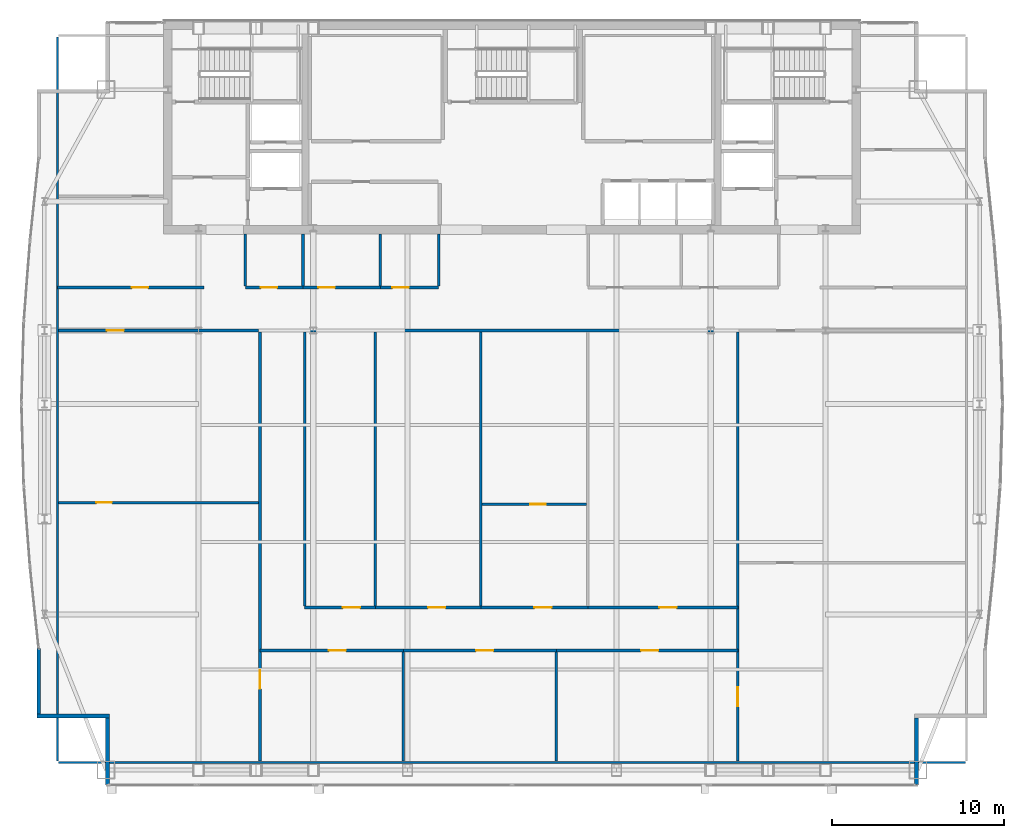
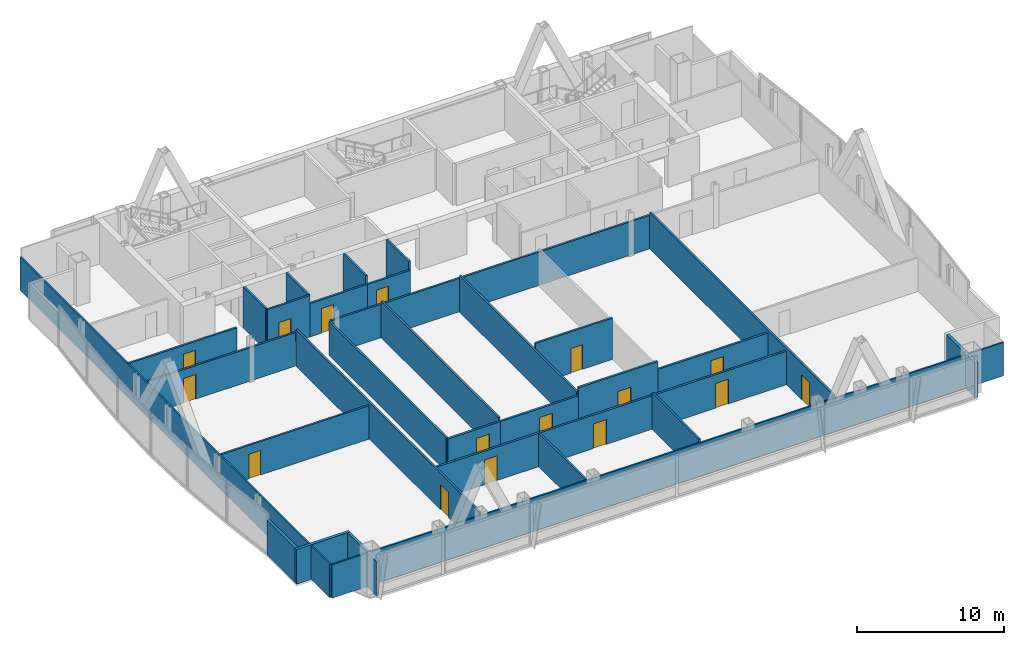
# One storey, part 25 of 30: 32 walls, 16 doors, 16 openings.
"""IFC4 building model written with IfcOpenShell, lengths in metres."""

from ifc_helpers import new_model, si_unit, direction, frame, frame_2d, origin, place, context, subcontext, project, spatial, rectangle, extrude, material, layer, layer_set, type_object, element, fill, save


model = new_model("IFC4")

# Units and contexts
model_context = context("Model", 3, precision=1e-05, world=origin(), true_north=direction((0.0, 1.0)))
body_context = subcontext(model_context, "Body", "Model", "MODEL_VIEW")
ifc_project = project(units=[si_unit("LENGTHUNIT", "METRE"), si_unit("AREAUNIT", "SQUARE_METRE"), si_unit("VOLUMEUNIT", "CUBIC_METRE"), si_unit("PLANEANGLEUNIT", "RADIAN"), si_unit("MASSUNIT", "GRAM", prefix="KILO")], contexts=[model_context])

# Site, building, storey
site_placement = place(None, origin())
site = spatial("IfcSite", under=ifc_project, at=site_placement, CompositionType="ELEMENT")
building_placement = place(site_placement, origin())
building = spatial("IfcBuilding", under=site, at=building_placement, Name="Khoronbel Lancet Exchange", CompositionType="ELEMENT")
storey_placement = place(building_placement, frame((0.0, 0.0, 284.199951171875)))
storey = spatial("IfcBuildingStorey", under=building, at=storey_placement, Name="L73", CompositionType="ELEMENT", Elevation=284.199951171875)

# Walls
ifc_material_1 = material(Name="Precast concrete C40/50", Category="concrete")
ifc_layer_1 = layer(ifc_material_1, 0.25, Name="Precast concrete C40/50")
ifc_layer_set_1 = layer_set([ifc_layer_1], Name="Precast concrete C40/50")
wall_type_1 = type_object("IfcWallType", Name="WL-EXT250", PredefinedType="SOLIDWALL", material=ifc_layer_set_1)
wall_1_placement = place(storey_placement, frame((12.93994140625, 9.27001953125, 0.0), z_axis=(0.0, 0.0, 1.0), x_axis=(0.0, 1.0, 0.0)))
element("IfcWall", 1, at=wall_1_placement, inside=storey, type_object=wall_type_1, Name="Level L73 notched-corner limestone pier 01", PredefinedType="SOLIDWALL", context=body_context, shape_type="SweptSolid", body=[
    extrude(rectangle(XDim=3.909912109375, YDim=0.219970703125, at=frame_2d((1.955078125, 0.0))), origin(), (0.0, 0.0, 1.0), 2.880126953125),
])
wall_2_placement = place(storey_placement, frame((13.050048828125, 13.2900390625, 0.0), z_axis=(0.0, 0.0, 1.0), x_axis=(-1.0, 0.0, 0.0)))
element("IfcWall", 2, at=wall_2_placement, inside=storey, type_object=wall_type_1, Name="Level L73 notched-corner limestone pier 02", PredefinedType="SOLIDWALL", context=body_context, shape_type="SweptSolid", body=[
    extrude(rectangle(XDim=4.219970703125, YDim=0.219970703125, at=frame_2d((2.10986328125, 0.0))), origin(), (0.0, 0.0, 1.0), 2.880126953125),
])
wall_3_placement = place(storey_placement, frame((8.93994140625, 13.39990234375, 0.0), z_axis=(0.0, 0.0, 1.0), x_axis=(0.0, 1.0, 0.0)))
element("IfcWall", 3, at=wall_3_placement, inside=storey, type_object=wall_type_1, Name="Level L73 notched-corner limestone pier 03", PredefinedType="SOLIDWALL", context=body_context, shape_type="SweptSolid", body=[
    extrude(rectangle(XDim=3.82470703125, YDim=0.219970703125, at=frame_2d((1.912353515625, 0.0))), origin(), (0.0, 0.0, 1.0), 2.880126953125),
])
wall_4_placement = place(storey_placement, frame((59.9599609375, 13.179931640625, 0.0), z_axis=(0.0, 0.0, 1.0), x_axis=(0.0, -1.0, 0.0)))
element("IfcWall", 4, at=wall_4_placement, inside=storey, type_object=wall_type_1, Name="Level L73 notched-corner limestone pier 25", PredefinedType="SOLIDWALL", context=body_context, shape_type="SweptSolid", body=[
    extrude(rectangle(XDim=3.909912109375, YDim=0.219970703125, at=frame_2d((1.955078125, 0.0))), origin(), (0.0, 0.0, 1.0), 2.880126953125),
])
ifc_material_2 = material(Name="Acoustic Metal-Stud & Mineral-Wool Gypsum Partition 120 mm", Category="gypsum")
ifc_layer_2 = layer(ifc_material_2, 0.1201171875, Name="Acoustic Metal-Stud & Mineral-Wool Gypsum Partition 120 mm")
ifc_layer_set_2 = layer_set([ifc_layer_2], Name="Acoustic Metal-Stud & Mineral-Wool Gypsum Partition 120 mm")
wall_type_2 = type_object("IfcWallType", Name="WL-PRT120", PredefinedType="PARTITIONING", material=ifc_layer_set_2)
for number, where, z_axis, x_axis, name in (
    (5, (20.949951171875, 38.280029296875, 0.0), (0.0, 0.0, 1.0), (0.0, 1.0, 0.0), "Level L73 interior partition PW-WC-0"),
    (6, (24.300048828125, 38.280029296875, 0.0), (0.0, 0.0, 1.0), (0.0, 1.0, 0.0), "Level L73 interior partition PW-WC-1"),
    (7, (28.800048828125, 38.280029296875, 0.0), (0.0, 0.0, 1.0), (0.0, 1.0, 0.0), "Level L73 interior partition PW-WC-2"),
    (8, (32.179931640625, 38.280029296875, 0.0), (0.0, 0.0, 1.0), (0.0, 1.0, 0.0), "Level L73 interior partition PW-WC-3"),
):
    element("IfcWall", number, at=place(storey_placement, frame(where, z_axis=z_axis, x_axis=x_axis)), inside=storey, type_object=wall_type_2, Name=name, PredefinedType="PARTITIONING", context=body_context, shape_type="SweptSolid", body=[
        extrude(rectangle(XDim=3.02001953125, YDim=0.14990234375, at=frame_2d((1.510009765625, 0.0))), origin(), (0.0, 0.0, 1.0), 3.43994140625),
    ])

# Wall, opening, door
wall_5_placement = place(storey_placement, frame((10.094970703125, 25.699951171875, 0.0), z_axis=(0.0, 0.0, 1.0), x_axis=(1.0, 0.0, 0.0)))
wall_5 = element("IfcWall", 9, at=wall_5_placement, inside=storey, type_object=wall_type_2, Name="Level L73 interior partition PW-Z4-WH", PredefinedType="PARTITIONING", context=body_context, shape_type="SweptSolid", body=[
    extrude(rectangle(XDim=11.625, YDim=0.14990234375, at=frame_2d((5.8125, 0.0))), origin(), (0.0, 0.0, 1.0), 2.780029296875),
])
opening_1_placement = place(wall_5_placement, frame((2.199951171875, 0.0, 0.0)))
opening_1 = element("IfcOpeningElement", 10, at=opening_1_placement, cuts=wall_5, Name="Opening D5", PredefinedType="OPENING", context=body_context, shape_type="SweptSolid", body=[
    extrude(rectangle(XDim=0.89990234375, YDim=2.050048828125, at=frame_2d((0.449951171875, 1.02490234375))), frame((0.0, 0.0849609375, 0.0), z_axis=(0.0, -1.0, 0.0), x_axis=(1.0, 0.0, 0.0)), (0.0, 0.0, 1.0), 0.169921875),
])
ifc_material_3 = material(Name="Acoustic Timber Pantry & Support Door", Category="wood")
door_type_1 = type_object("IfcDoorType", Name="DR-D5", OperationType="NOTDEFINED", PredefinedType="DOOR", material=ifc_material_3)
door_1_placement = place(opening_1_placement, origin())
door_1 = element("IfcDoor", 11, at=door_1_placement, inside=storey, type_object=door_type_1, Name="West lens inner door L73-1", OperationType="SINGLE_SWING_RIGHT", OverallHeight=2.050048828125, OverallWidth=0.89990234375, PredefinedType="DOOR", context=body_context, shape_type="SweptSolid", body=[
    extrude(rectangle(XDim=0.89990234375, YDim=2.050048828125, at=frame_2d((0.449951171875, 1.02490234375))), frame((0.0, 0.02490234375, 0.0), z_axis=(0.0, -1.0, 0.0), x_axis=(1.0, 0.0, 0.0)), (0.0, 0.0, 1.0), 0.050048828125),
])
fill(opening_1, door_1)

wall_6_placement = place(storey_placement, frame((34.71826171875, 25.607421875, 0.0), z_axis=(0.0, 0.0, 1.0), x_axis=(1.0, 0.0, 0.0)))
wall_6 = element("IfcWall", 12, at=wall_6_placement, inside=storey, type_object=wall_type_2, Name="Level L73 interior partition PW-Z4C-H3", PredefinedType="PARTITIONING", context=body_context, shape_type="SweptSolid", body=[
    extrude(rectangle(XDim=6.056640625, YDim=0.14990234375, at=frame_2d((3.0283203125, 0.0))), origin(), (0.0, 0.0, 1.0), 3.43994140625),
])
opening_2_placement = place(wall_6_placement, frame((2.797607421875, 0.0, 0.0)))
opening_2 = element("IfcOpeningElement", 13, at=opening_2_placement, cuts=wall_6, Name="Opening D5", PredefinedType="OPENING", context=body_context, shape_type="SweptSolid", body=[
    extrude(rectangle(XDim=0.89990234375, YDim=2.050048828125, at=frame_2d((0.449951171875, 1.02490234375))), frame((0.0, 0.0849609375, 0.0), z_axis=(0.0, -1.0, 0.0), x_axis=(1.0, 0.0, 0.0)), (0.0, 0.0, 1.0), 0.169921875),
])
door_2_placement = place(opening_2_placement, origin())
door_2 = element("IfcDoor", 14, at=door_2_placement, inside=storey, type_object=door_type_1, Name="Z4C inner door 3 L73-1", OperationType="SINGLE_SWING_LEFT", OverallHeight=2.050048828125, OverallWidth=0.89990234375, PredefinedType="DOOR", context=body_context, shape_type="SweptSolid", body=[
    extrude(rectangle(XDim=0.89990234375, YDim=2.050048828125, at=frame_2d((0.449951171875, 1.02490234375))), frame((0.0, 0.02490234375, 0.0), z_axis=(0.0, -1.0, 0.0), x_axis=(1.0, 0.0, 0.0)), (0.0, 0.0, 1.0), 0.050048828125),
])
fill(opening_2, door_2)

# Walls
wall_7_placement = place(storey_placement, frame((10.030029296875, 10.6650390625, 0.0), z_axis=(0.0, 0.0, 1.0), x_axis=(0.0, 1.0, 0.0)))
element("IfcWall", 15, at=wall_7_placement, inside=storey, type_object=wall_type_2, Name="Level L73 interior partition PW-LIN-W", PredefinedType="PARTITIONING", context=body_context, shape_type="SweptSolid", body=[
    extrude(rectangle(XDim=42.10986328125, YDim=0.1201171875, at=frame_2d((21.054931640625, 0.0))), origin(), (0.0, 0.0, 1.0), 2.780029296875),
])
wall_8_placement = place(storey_placement, frame((10.094970703125, 10.60009765625, 0.0), z_axis=(0.0, 0.0, 1.0), x_axis=(1.0, 0.0, 0.0)))
element("IfcWall", 16, at=wall_8_placement, inside=storey, type_object=wall_type_2, Name="Level L73 interior partition PW-LIN-S", PredefinedType="PARTITIONING", context=body_context, shape_type="SweptSolid", body=[
    extrude(rectangle(XDim=52.7099609375, YDim=0.1201171875, at=frame_2d((26.35498046875, 0.0))), origin(), (0.0, 0.0, 1.0), 2.780029296875),
])

# Wall, opening, door
ifc_material_4 = material(Name="Fire-Rated Twin-Stud Acoustic Gypsum Partition 150 mm", Category="gypsum")
ifc_layer_3 = layer(ifc_material_4, 0.14990234375, Name="Fire-Rated Twin-Stud Acoustic Gypsum Partition 150 mm")
ifc_layer_set_3 = layer_set([ifc_layer_3], Name="Fire-Rated Twin-Stud Acoustic Gypsum Partition 150 mm")
wall_type_3 = type_object("IfcWallType", Name="WL-PRT150C", PredefinedType="PARTITIONING", material=ifc_layer_set_3)
wall_9_placement = place(storey_placement, frame((20.949951171875, 38.199951171875, 0.0), z_axis=(0.0, 0.0, 1.0), x_axis=(1.0, 0.0, 0.0)))
wall_9 = element("IfcWall", 17, at=wall_9_placement, inside=storey, type_object=wall_type_3, Name="Level L73 interior partition PW-WC-S1", PredefinedType="PARTITIONING", context=body_context, shape_type="SweptSolid", body=[
    extrude(rectangle(XDim=3.35009765625, YDim=0.14990234375, at=frame_2d((1.675048828125, 0.0))), origin(), (0.0, 0.0, 1.0), 3.43994140625),
])
opening_3_placement = place(wall_9_placement, frame((0.89990234375, 0.0, 0.0)))
opening_3 = element("IfcOpeningElement", 18, at=opening_3_placement, cuts=wall_9, Name="Opening D4", PredefinedType="OPENING", context=body_context, shape_type="SweptSolid", body=[
    extrude(rectangle(XDim=0.949951171875, YDim=2.050048828125, at=frame_2d((0.47509765625, 1.02490234375))), frame((0.0, 0.0849609375, 0.0), z_axis=(0.0, -1.0, 0.0), x_axis=(1.0, 0.0, 0.0)), (0.0, 0.0, 1.0), 0.169921875),
])
ifc_material_5 = material(Name="Moisture-Resistant HPL Washroom Door", Category="wood")
door_type_2 = type_object("IfcDoorType", Name="DR-D4", OperationType="NOTDEFINED", PredefinedType="DOOR", material=ifc_material_5)
door_3_placement = place(opening_3_placement, origin())
door_3 = element("IfcDoor", 19, at=door_3_placement, inside=storey, type_object=door_type_2, Name="Male washroom door L73-1", OperationType="SINGLE_SWING_LEFT", OverallHeight=2.050048828125, OverallWidth=0.949951171875, PredefinedType="DOOR", context=body_context, shape_type="SweptSolid", body=[
    extrude(rectangle(XDim=0.949951171875, YDim=2.050048828125, at=frame_2d((0.47509765625, 1.02490234375))), frame((0.0, 0.02490234375, 0.0), z_axis=(0.0, -1.0, 0.0), x_axis=(1.0, 0.0, 0.0)), (0.0, 0.0, 1.0), 0.050048828125),
])
fill(opening_3, door_3)

wall_10_placement = place(storey_placement, frame((24.300048828125, 38.199951171875, 0.0), z_axis=(0.0, 0.0, 1.0), x_axis=(1.0, 0.0, 0.0)))
wall_10 = element("IfcWall", 20, at=wall_10_placement, inside=storey, type_object=wall_type_3, Name="Level L73 interior partition PW-WC-S2", PredefinedType="PARTITIONING", context=body_context, shape_type="SweptSolid", body=[
    extrude(rectangle(XDim=4.5, YDim=0.14990234375, at=frame_2d((2.25, 0.0))), origin(), (0.0, 0.0, 1.0), 2.780029296875),
])
opening_4_placement = place(wall_10_placement, frame((0.89990234375, 0.0, 0.0)))
opening_4 = element("IfcOpeningElement", 21, at=opening_4_placement, cuts=wall_10, Name="Opening D4", PredefinedType="OPENING", context=body_context, shape_type="SweptSolid", body=[
    extrude(rectangle(XDim=0.949951171875, YDim=2.050048828125, at=frame_2d((0.47509765625, 1.02490234375))), frame((0.0, 0.0849609375, 0.0), z_axis=(0.0, -1.0, 0.0), x_axis=(1.0, 0.0, 0.0)), (0.0, 0.0, 1.0), 0.169921875),
])
door_4_placement = place(opening_4_placement, origin())
door_4 = element("IfcDoor", 22, at=door_4_placement, inside=storey, type_object=door_type_2, Name="Female washroom door L73-1", OperationType="SINGLE_SWING_RIGHT", OverallHeight=2.050048828125, OverallWidth=0.949951171875, PredefinedType="DOOR", context=body_context, shape_type="SweptSolid", body=[
    extrude(rectangle(XDim=0.949951171875, YDim=2.050048828125, at=frame_2d((0.47509765625, 1.02490234375))), frame((0.0, 0.02490234375, 0.0), z_axis=(0.0, -1.0, 0.0), x_axis=(1.0, 0.0, 0.0)), (0.0, 0.0, 1.0), 0.050048828125),
])
fill(opening_4, door_4)

wall_11_placement = place(storey_placement, frame((28.800048828125, 38.199951171875, 0.0), z_axis=(0.0, 0.0, 1.0), x_axis=(1.0, 0.0, 0.0)))
wall_11 = element("IfcWall", 23, at=wall_11_placement, inside=storey, type_object=wall_type_3, Name="Level L73 interior partition PW-WC-S3", PredefinedType="PARTITIONING", context=body_context, shape_type="SweptSolid", body=[
    extrude(rectangle(XDim=3.3798828125, YDim=0.14990234375, at=frame_2d((1.68994140625, 0.0))), origin(), (0.0, 0.0, 1.0), 2.780029296875),
])
opening_5_placement = place(wall_11_placement, frame((0.699951171875, 0.0, 0.0)))
opening_5 = element("IfcOpeningElement", 24, at=opening_5_placement, cuts=wall_11, Name="Opening D4", PredefinedType="OPENING", context=body_context, shape_type="SweptSolid", body=[
    extrude(rectangle(XDim=0.949951171875, YDim=2.050048828125, at=frame_2d((0.47509765625, 1.02490234375))), frame((0.0, 0.0849609375, 0.0), z_axis=(0.0, -1.0, 0.0), x_axis=(1.0, 0.0, 0.0)), (0.0, 0.0, 1.0), 0.169921875),
])
door_5_placement = place(opening_5_placement, origin())
door_5 = element("IfcDoor", 25, at=door_5_placement, inside=storey, type_object=door_type_2, Name="Accessible WC door L73-1", OperationType="SINGLE_SWING_LEFT", OverallHeight=2.050048828125, OverallWidth=0.949951171875, PredefinedType="DOOR", context=body_context, shape_type="SweptSolid", body=[
    extrude(rectangle(XDim=0.949951171875, YDim=2.050048828125, at=frame_2d((0.47509765625, 1.02490234375))), frame((0.0, 0.02490234375, 0.0), z_axis=(0.0, -1.0, 0.0), x_axis=(1.0, 0.0, 0.0)), (0.0, 0.0, 1.0), 0.050048828125),
])
fill(opening_5, door_5)

wall_12_placement = place(storey_placement, frame((10.030029296875, 38.199951171875, 0.0), z_axis=(0.0, 0.0, 1.0), x_axis=(1.0, 0.0, 0.0)))
wall_12 = element("IfcWall", 26, at=wall_12_placement, inside=storey, type_object=wall_type_3, Name="Level L73 interior partition PW-NW-S", PredefinedType="PARTITIONING", context=body_context, shape_type="SweptSolid", body=[
    extrude(rectangle(XDim=8.52001953125, YDim=0.14990234375, at=frame_2d((4.260009765625, 0.0))), origin(), (0.0, 0.0, 1.0), 2.780029296875),
])
opening_6_placement = place(wall_12_placement, frame((4.320068359375, 0.0, 0.0)))
opening_6 = element("IfcOpeningElement", 27, at=opening_6_placement, cuts=wall_12, Name="Opening D1", PredefinedType="OPENING", context=body_context, shape_type="SweptSolid", body=[
    extrude(rectangle(XDim=0.949951171875, YDim=2.050048828125, at=frame_2d((0.47509765625, 1.02490234375))), frame((0.0, 0.0849609375, 0.0), z_axis=(0.0, -1.0, 0.0), x_axis=(1.0, 0.0, 0.0)), (0.0, 0.0, 1.0), 0.169921875),
])
ifc_material_6 = material(Name="Acoustic Veneered Timber & Bronze Frame Door", Category="wood")
door_type_3 = type_object("IfcDoorType", Name="DR-D1", OperationType="NOTDEFINED", PredefinedType="DOOR", material=ifc_material_6)
door_6_placement = place(opening_6_placement, origin())
door_6 = element("IfcDoor", 28, at=door_6_placement, inside=storey, type_object=door_type_3, Name="NW corner room door L73-1", OperationType="SINGLE_SWING_RIGHT", OverallHeight=2.050048828125, OverallWidth=0.949951171875, PredefinedType="DOOR", context=body_context, shape_type="SweptSolid", body=[
    extrude(rectangle(XDim=0.949951171875, YDim=2.050048828125, at=frame_2d((0.47509765625, 1.02490234375))), frame((0.0, 0.02490234375, 0.0), z_axis=(0.0, -1.0, 0.0), x_axis=(1.0, 0.0, 0.0)), (0.0, 0.0, 1.0), 0.050048828125),
])
fill(opening_6, door_6)

wall_13_placement = place(storey_placement, frame((21.800048828125, 10.6650390625, 0.0), z_axis=(0.0, 0.0, 1.0), x_axis=(0.0, 1.0, 0.0)))
wall_13 = element("IfcWall", 29, at=wall_13_placement, inside=storey, type_object=wall_type_3, Name="Level L73 interior partition PW-Z4-WW", PredefinedType="PARTITIONING", context=body_context, shape_type="SweptSolid", body=[
    extrude(rectangle(XDim=24.955078125, YDim=0.14990234375, at=frame_2d((12.4775390625, 0.0))), origin(), (0.0, 0.0, 1.0), 3.030029296875),
])
opening_7_placement = place(wall_13_placement, frame((4.199951171875, 0.0, 0.0)))
opening_7 = element("IfcOpeningElement", 30, at=opening_7_placement, cuts=wall_13, Name="Opening D6", PredefinedType="OPENING", context=body_context, shape_type="SweptSolid", body=[
    extrude(rectangle(XDim=1.10009765625, YDim=2.10009765625, at=frame_2d((0.550048828125, 1.050048828125))), frame((0.0, 0.0849609375, 0.0), z_axis=(0.0, -1.0, 0.0), x_axis=(1.0, 0.0, 0.0)), (0.0, 0.0, 1.0), 0.169921875),
])
ifc_material_7 = material(Name="Acoustic Bronze-Veneer Executive Suite Door", Category="wood")
door_type_4 = type_object("IfcDoorType", Name="DR-D6", OperationType="NOTDEFINED", PredefinedType="DOOR", material=ifc_material_7)
door_7_placement = place(opening_7_placement, origin())
door_7 = element("IfcDoor", 31, at=door_7_placement, inside=storey, type_object=door_type_4, Name="West lens presidential door L73-1", OperationType="SINGLE_SWING_RIGHT", OverallHeight=2.10009765625, OverallWidth=1.10009765625, PredefinedType="DOOR", context=body_context, shape_type="SweptSolid", body=[
    extrude(rectangle(XDim=1.10009765625, YDim=2.10009765625, at=frame_2d((0.550048828125, 1.050048828125))), frame((0.0, 0.02490234375, 0.0), z_axis=(0.0, -1.0, 0.0), x_axis=(1.0, 0.0, 0.0)), (0.0, 0.0, 1.0), 0.050048828125),
])
fill(opening_7, door_7)

wall_14_placement = place(storey_placement, frame((10.094970703125, 35.699951171875, 0.0), z_axis=(0.0, 0.0, 1.0), x_axis=(1.0, 0.0, 0.0)))
wall_14 = element("IfcWall", 32, at=wall_14_placement, inside=storey, type_object=wall_type_3, Name="Level L73 interior partition PW-Z4-WN", PredefinedType="PARTITIONING", context=body_context, shape_type="SweptSolid", body=[
    extrude(rectangle(XDim=11.625, YDim=0.14990234375, at=frame_2d((5.8125, 0.0))), origin(), (0.0, 0.0, 1.0), 2.780029296875),
])
opening_8_placement = place(wall_14_placement, frame((2.800048828125, 0.0, 0.0)))
opening_8 = element("IfcOpeningElement", 33, at=opening_8_placement, cuts=wall_14, Name="Opening D2", PredefinedType="OPENING", context=body_context, shape_type="SweptSolid", body=[
    extrude(rectangle(XDim=1.0, YDim=2.050048828125, at=frame_2d((0.5, 1.02490234375))), frame((0.0, 0.0849609375, 0.0), z_axis=(0.0, -1.0, 0.0), x_axis=(1.0, 0.0, 0.0)), (0.0, 0.0, 1.0), 0.169921875),
])
door_type_5 = type_object("IfcDoorType", Name="DR-D2", OperationType="NOTDEFINED", PredefinedType="DOOR", material=ifc_material_6)
door_8_placement = place(opening_8_placement, origin())
door_8 = element("IfcDoor", 34, at=door_8_placement, inside=storey, type_object=door_type_5, Name="West lens north door L73-1", OperationType="SINGLE_SWING_LEFT", OverallHeight=2.050048828125, OverallWidth=1.0, PredefinedType="DOOR", context=body_context, shape_type="SweptSolid", body=[
    extrude(rectangle(XDim=1.0, YDim=2.050048828125, at=frame_2d((0.5, 1.02490234375))), frame((0.0, 0.02490234375, 0.0), z_axis=(0.0, -1.0, 0.0), x_axis=(1.0, 0.0, 0.0)), (0.0, 0.0, 1.0), 0.050048828125),
])
fill(opening_8, door_8)

# Wall
wall_15_placement = place(storey_placement, frame((24.39990234375, 19.68505859375, 0.0), z_axis=(0.0, 0.0, 1.0), x_axis=(0.0, 1.0, 0.0)))
element("IfcWall", 35, at=wall_15_placement, inside=storey, type_object=wall_type_3, Name="Level L73 interior partition PW-Z4-WE", PredefinedType="PARTITIONING", context=body_context, shape_type="SweptSolid", body=[
    extrude(rectangle(XDim=15.93505859375, YDim=0.14990234375, at=frame_2d((7.967529296875, 0.0))), origin(), (0.0, 0.0, 1.0), 2.780029296875),
])

# Wall, opening, door
wall_16_placement = place(storey_placement, frame((49.580078125, 10.6650390625, 0.0), z_axis=(0.0, 0.0, 1.0), x_axis=(0.0, 1.0, 0.0)))
wall_16 = element("IfcWall", 36, at=wall_16_placement, inside=storey, type_object=wall_type_3, Name="Level L73 interior partition PW-Z4-PE", PredefinedType="PARTITIONING", context=body_context, shape_type="SweptSolid", body=[
    extrude(rectangle(XDim=24.955078125, YDim=0.14990234375, at=frame_2d((12.4775390625, 0.0))), origin(), (0.0, 0.0, 1.0), 3.030029296875),
])
opening_9_placement = place(wall_16_placement, frame((3.199951171875, 0.0, 0.0)))
opening_9 = element("IfcOpeningElement", 37, at=opening_9_placement, cuts=wall_16, Name="Opening D6", PredefinedType="OPENING", context=body_context, shape_type="SweptSolid", body=[
    extrude(rectangle(XDim=1.10009765625, YDim=2.10009765625, at=frame_2d((0.550048828125, 1.050048828125))), frame((0.0, 0.0849609375, 0.0), z_axis=(0.0, -1.0, 0.0), x_axis=(1.0, 0.0, 0.0)), (0.0, 0.0, 1.0), 0.169921875),
])
door_9_placement = place(opening_9_placement, origin())
door_9 = element("IfcDoor", 38, at=door_9_placement, inside=storey, type_object=door_type_4, Name="East lens south door L73-1", OperationType="SINGLE_SWING_LEFT", OverallHeight=2.10009765625, OverallWidth=1.10009765625, PredefinedType="DOOR", context=body_context, shape_type="SweptSolid", body=[
    extrude(rectangle(XDim=1.10009765625, YDim=2.10009765625, at=frame_2d((0.550048828125, 1.050048828125))), frame((0.0, 0.02490234375, 0.0), z_axis=(0.0, -1.0, 0.0), x_axis=(1.0, 0.0, 0.0)), (0.0, 0.0, 1.0), 0.050048828125),
])
fill(opening_9, door_9)

# Walls
wall_17_placement = place(storey_placement, frame((24.47998046875, 35.699951171875, 0.0), z_axis=(0.0, 0.0, 1.0), x_axis=(1.0, 0.0, 0.0)))
element("IfcWall", 39, at=wall_17_placement, inside=storey, type_object=wall_type_3, Name="Level L73 interior partition PW-Z4-EN1", PredefinedType="PARTITIONING", context=body_context, shape_type="SweptSolid", body=[
    extrude(rectangle(XDim=25.02001953125, YDim=0.14990234375, at=frame_2d((12.510009765625, 0.0))), origin(), (0.0, 0.0, 1.0), 2.780029296875),
])
for number, where, z_axis, x_axis, name in (
    (40, (28.50341796875, 19.68505859375, 0.0), (0.0, 0.0, 1.0), (0.0, 1.0, 0.0), "Level L73 interior partition PW-Z4C-V1"),
    (41, (34.63818359375, 19.68505859375, 0.0), (0.0, 0.0, 1.0), (0.0, 1.0, 0.0), "Level L73 interior partition PW-Z4C-V2"),
):
    element("IfcWall", number, at=place(storey_placement, frame(where, z_axis=z_axis, x_axis=x_axis)), inside=storey, type_object=wall_type_3, Name=name, PredefinedType="PARTITIONING", context=body_context, shape_type="SweptSolid", body=[
        extrude(rectangle(XDim=15.93505859375, YDim=0.14990234375, at=frame_2d((7.967529296875, 0.0))), origin(), (0.0, 0.0, 1.0), 3.030029296875),
    ])
wall_18_placement = place(storey_placement, frame((30.134033203125, 10.6650390625, 0.0), z_axis=(0.0, 0.0, 1.0), x_axis=(0.0, 1.0, 0.0)))
element("IfcWall", 42, at=wall_18_placement, inside=storey, type_object=wall_type_3, Name="Level L73 interior partition PW-Z4S-V1", PredefinedType="PARTITIONING", context=body_context, shape_type="SweptSolid", body=[
    extrude(rectangle(XDim=6.349853515625, YDim=0.14990234375, at=frame_2d((3.1748046875, 0.0))), origin(), (0.0, 0.0, 1.0), 2.780029296875),
])
wall_19_placement = place(storey_placement, frame((39.023681640625, 10.6650390625, 0.0), z_axis=(0.0, 0.0, 1.0), x_axis=(0.0, 1.0, 0.0)))
element("IfcWall", 43, at=wall_19_placement, inside=storey, type_object=wall_type_3, Name="Level L73 interior partition PW-Z4S-V2", PredefinedType="PARTITIONING", context=body_context, shape_type="SweptSolid", body=[
    extrude(rectangle(XDim=6.349853515625, YDim=0.14990234375, at=frame_2d((3.1748046875, 0.0))), origin(), (0.0, 0.0, 1.0), 3.030029296875),
])

# Wall, opening, door
ifc_material_8 = material(Name="Fire-Rated Twin-Stud Acoustic Gypsum Partition 160 mm", Category="gypsum")
ifc_layer_4 = layer(ifc_material_8, 0.159912109375, Name="Fire-Rated Twin-Stud Acoustic Gypsum Partition 160 mm")
ifc_layer_set_4 = layer_set([ifc_layer_4], Name="Fire-Rated Twin-Stud Acoustic Gypsum Partition 160 mm")
wall_type_4 = type_object("IfcWallType", Name="WL-PRT160C", PredefinedType="PARTITIONING", material=ifc_layer_set_4)
wall_20_placement = place(storey_placement, frame((24.39990234375, 19.60009765625, 0.0), z_axis=(0.0, 0.0, 1.0), x_axis=(1.0, 0.0, 0.0)))
wall_20 = element("IfcWall", 44, at=wall_20_placement, inside=storey, type_object=wall_type_4, Name="Level L73 interior partition PW-Z4C-COR1", PredefinedType="PARTITIONING", context=body_context, shape_type="SweptSolid", body=[
    extrude(rectangle(XDim=4.103515625, YDim=0.159912109375, at=frame_2d((2.0517578125, 0.0))), origin(), (0.0, 0.0, 1.0), 2.780029296875),
])
opening_10_placement = place(wall_20_placement, frame((2.223388671875, 0.0, 0.0)))
opening_10 = element("IfcOpeningElement", 45, at=opening_10_placement, cuts=wall_20, Name="Opening D2", PredefinedType="OPENING", context=body_context, shape_type="SweptSolid", body=[
    extrude(rectangle(XDim=1.0, YDim=2.050048828125, at=frame_2d((0.5, 1.02490234375))), frame((0.0, 0.08984375, 0.0), z_axis=(0.0, -1.0, 0.0), x_axis=(1.0, 0.0, 0.0)), (0.0, 0.0, 1.0), 0.179931640625),
])
door_10_placement = place(opening_10_placement, origin())
door_10 = element("IfcDoor", 46, at=door_10_placement, inside=storey, type_object=door_type_5, Name="Z4C bay 1 door L73-1", OperationType="SINGLE_SWING_RIGHT", OverallHeight=2.050048828125, OverallWidth=1.0, PredefinedType="DOOR", context=body_context, shape_type="SweptSolid", body=[
    extrude(rectangle(XDim=1.0, YDim=2.050048828125, at=frame_2d((0.5, 1.02490234375))), frame((0.0, 0.02490234375, 0.0), z_axis=(0.0, -1.0, 0.0), x_axis=(1.0, 0.0, 0.0)), (0.0, 0.0, 1.0), 0.050048828125),
])
fill(opening_10, door_10)

wall_21_placement = place(storey_placement, frame((28.50341796875, 19.60009765625, 0.0), z_axis=(0.0, 0.0, 1.0), x_axis=(1.0, 0.0, 0.0)))
wall_21 = element("IfcWall", 47, at=wall_21_placement, inside=storey, type_object=wall_type_4, Name="Level L73 interior partition PW-Z4C-COR2", PredefinedType="PARTITIONING", context=body_context, shape_type="SweptSolid", body=[
    extrude(rectangle(XDim=6.134765625, YDim=0.159912109375, at=frame_2d((3.0673828125, 0.0))), origin(), (0.0, 0.0, 1.0), 2.780029296875),
])
opening_11_placement = place(wall_21_placement, frame((3.07666015625, 0.0, 0.0)))
opening_11 = element("IfcOpeningElement", 48, at=opening_11_placement, cuts=wall_21, Name="Opening D2", PredefinedType="OPENING", context=body_context, shape_type="SweptSolid", body=[
    extrude(rectangle(XDim=1.0, YDim=2.050048828125, at=frame_2d((0.5, 1.02490234375))), frame((0.0, 0.08984375, 0.0), z_axis=(0.0, -1.0, 0.0), x_axis=(1.0, 0.0, 0.0)), (0.0, 0.0, 1.0), 0.179931640625),
])
door_11_placement = place(opening_11_placement, origin())
door_11 = element("IfcDoor", 49, at=door_11_placement, inside=storey, type_object=door_type_5, Name="Z4C bay 2 door L73-1", OperationType="SINGLE_SWING_LEFT", OverallHeight=2.050048828125, OverallWidth=1.0, PredefinedType="DOOR", context=body_context, shape_type="SweptSolid", body=[
    extrude(rectangle(XDim=1.0, YDim=2.050048828125, at=frame_2d((0.5, 1.02490234375))), frame((0.0, 0.02490234375, 0.0), z_axis=(0.0, -1.0, 0.0), x_axis=(1.0, 0.0, 0.0)), (0.0, 0.0, 1.0), 0.050048828125),
])
fill(opening_11, door_11)

wall_22_placement = place(storey_placement, frame((34.63818359375, 19.60009765625, 0.0), z_axis=(0.0, 0.0, 1.0), x_axis=(1.0, 0.0, 0.0)))
wall_22 = element("IfcWall", 50, at=wall_22_placement, inside=storey, type_object=wall_type_4, Name="Level L73 interior partition PW-Z4C-COR3", PredefinedType="PARTITIONING", context=body_context, shape_type="SweptSolid", body=[
    extrude(rectangle(XDim=6.216796875, YDim=0.159912109375, at=frame_2d((3.1083984375, 0.0))), origin(), (0.0, 0.0, 1.0), 3.43994140625),
])
opening_12_placement = place(wall_22_placement, frame((3.111083984375, 0.0, 0.0)))
opening_12 = element("IfcOpeningElement", 51, at=opening_12_placement, cuts=wall_22, Name="Opening D2", PredefinedType="OPENING", context=body_context, shape_type="SweptSolid", body=[
    extrude(rectangle(XDim=1.0, YDim=2.050048828125, at=frame_2d((0.5, 1.02490234375))), frame((0.0, 0.08984375, 0.0), z_axis=(0.0, -1.0, 0.0), x_axis=(1.0, 0.0, 0.0)), (0.0, 0.0, 1.0), 0.179931640625),
])
door_12_placement = place(opening_12_placement, origin())
door_12 = element("IfcDoor", 52, at=door_12_placement, inside=storey, type_object=door_type_5, Name="Z4C bay 3 door L73-1", OperationType="SINGLE_SWING_RIGHT", OverallHeight=2.050048828125, OverallWidth=1.0, PredefinedType="DOOR", context=body_context, shape_type="SweptSolid", body=[
    extrude(rectangle(XDim=1.0, YDim=2.050048828125, at=frame_2d((0.5, 1.02490234375))), frame((0.0, 0.02490234375, 0.0), z_axis=(0.0, -1.0, 0.0), x_axis=(1.0, 0.0, 0.0)), (0.0, 0.0, 1.0), 0.050048828125),
])
fill(opening_12, door_12)

wall_23_placement = place(storey_placement, frame((40.85498046875, 19.60009765625, 0.0), z_axis=(0.0, 0.0, 1.0), x_axis=(1.0, 0.0, 0.0)))
wall_23 = element("IfcWall", 53, at=wall_23_placement, inside=storey, type_object=wall_type_4, Name="Level L73 interior partition PW-Z4C-COR4", PredefinedType="PARTITIONING", context=body_context, shape_type="SweptSolid", body=[
    extrude(rectangle(XDim=8.72509765625, YDim=0.159912109375, at=frame_2d((4.362548828125, 0.0))), origin(), (0.0, 0.0, 1.0), 2.780029296875),
])
opening_13_placement = place(wall_23_placement, frame((4.16455078125, 0.0, 0.0)))
opening_13 = element("IfcOpeningElement", 54, at=opening_13_placement, cuts=wall_23, Name="Opening D2", PredefinedType="OPENING", context=body_context, shape_type="SweptSolid", body=[
    extrude(rectangle(XDim=1.0, YDim=2.050048828125, at=frame_2d((0.5, 1.02490234375))), frame((0.0, 0.08984375, 0.0), z_axis=(0.0, -1.0, 0.0), x_axis=(1.0, 0.0, 0.0)), (0.0, 0.0, 1.0), 0.179931640625),
])
door_13_placement = place(opening_13_placement, origin())
door_13 = element("IfcDoor", 55, at=door_13_placement, inside=storey, type_object=door_type_5, Name="Z4C bay 4 door L73-1", OperationType="SINGLE_SWING_RIGHT", OverallHeight=2.050048828125, OverallWidth=1.0, PredefinedType="DOOR", context=body_context, shape_type="SweptSolid", body=[
    extrude(rectangle(XDim=1.0, YDim=2.050048828125, at=frame_2d((0.5, 1.02490234375))), frame((0.0, 0.02490234375, 0.0), z_axis=(0.0, -1.0, 0.0), x_axis=(1.0, 0.0, 0.0)), (0.0, 0.0, 1.0), 0.050048828125),
])
fill(opening_13, door_13)

wall_24_placement = place(storey_placement, frame((21.800048828125, 17.10009765625, 0.0), z_axis=(0.0, 0.0, 1.0), x_axis=(1.0, 0.0, 0.0)))
wall_24 = element("IfcWall", 56, at=wall_24_placement, inside=storey, type_object=wall_type_4, Name="Level L73 interior partition PW-Z4S-COR1", PredefinedType="PARTITIONING", context=body_context, shape_type="SweptSolid", body=[
    extrude(rectangle(XDim=8.333984375, YDim=0.159912109375, at=frame_2d((4.1669921875, 0.0))), origin(), (0.0, 0.0, 1.0), 2.780029296875),
])
opening_14_placement = place(wall_24_placement, frame((4.000244140625, 0.0, 0.0)))
opening_14 = element("IfcOpeningElement", 57, at=opening_14_placement, cuts=wall_24, Name="Opening D2", PredefinedType="OPENING", context=body_context, shape_type="SweptSolid", body=[
    extrude(rectangle(XDim=1.0, YDim=2.050048828125, at=frame_2d((0.5, 1.02490234375))), frame((0.0, 0.08984375, 0.0), z_axis=(0.0, -1.0, 0.0), x_axis=(1.0, 0.0, 0.0)), (0.0, 0.0, 1.0), 0.179931640625),
])
door_14_placement = place(opening_14_placement, origin())
door_14 = element("IfcDoor", 58, at=door_14_placement, inside=storey, type_object=door_type_5, Name="Z4S bay 1 door L73-1", OperationType="SINGLE_SWING_LEFT", OverallHeight=2.050048828125, OverallWidth=1.0, PredefinedType="DOOR", context=body_context, shape_type="SweptSolid", body=[
    extrude(rectangle(XDim=1.0, YDim=2.050048828125, at=frame_2d((0.5, 1.02490234375))), frame((0.0, 0.02490234375, 0.0), z_axis=(0.0, -1.0, 0.0), x_axis=(1.0, 0.0, 0.0)), (0.0, 0.0, 1.0), 0.050048828125),
])
fill(opening_14, door_14)

wall_25_placement = place(storey_placement, frame((30.134033203125, 17.10009765625, 0.0), z_axis=(0.0, 0.0, 1.0), x_axis=(1.0, 0.0, 0.0)))
wall_25 = element("IfcWall", 59, at=wall_25_placement, inside=storey, type_object=wall_type_4, Name="Level L73 interior partition PW-Z4S-COR2", PredefinedType="PARTITIONING", context=body_context, shape_type="SweptSolid", body=[
    extrude(rectangle(XDim=8.8896484375, YDim=0.159912109375, at=frame_2d((4.44482421875, 0.0))), origin(), (0.0, 0.0, 1.0), 2.780029296875),
])
opening_15_placement = place(wall_25_placement, frame((4.233642578125, 0.0, 0.0)))
opening_15 = element("IfcOpeningElement", 60, at=opening_15_placement, cuts=wall_25, Name="Opening D2", PredefinedType="OPENING", context=body_context, shape_type="SweptSolid", body=[
    extrude(rectangle(XDim=1.0, YDim=2.050048828125, at=frame_2d((0.5, 1.02490234375))), frame((0.0, 0.08984375, 0.0), z_axis=(0.0, -1.0, 0.0), x_axis=(1.0, 0.0, 0.0)), (0.0, 0.0, 1.0), 0.179931640625),
])
door_15_placement = place(opening_15_placement, origin())
door_15 = element("IfcDoor", 61, at=door_15_placement, inside=storey, type_object=door_type_5, Name="Z4S bay 2 door L73-1", OperationType="SINGLE_SWING_RIGHT", OverallHeight=2.050048828125, OverallWidth=1.0, PredefinedType="DOOR", context=body_context, shape_type="SweptSolid", body=[
    extrude(rectangle(XDim=1.0, YDim=2.050048828125, at=frame_2d((0.5, 1.02490234375))), frame((0.0, 0.02490234375, 0.0), z_axis=(0.0, -1.0, 0.0), x_axis=(1.0, 0.0, 0.0)), (0.0, 0.0, 1.0), 0.050048828125),
])
fill(opening_15, door_15)

wall_26_placement = place(storey_placement, frame((39.023681640625, 17.10009765625, 0.0), z_axis=(0.0, 0.0, 1.0), x_axis=(1.0, 0.0, 0.0)))
wall_26 = element("IfcWall", 62, at=wall_26_placement, inside=storey, type_object=wall_type_4, Name="Level L73 interior partition PW-Z4S-COR3", PredefinedType="PARTITIONING", context=body_context, shape_type="SweptSolid", body=[
    extrude(rectangle(XDim=10.556396484375, YDim=0.159912109375, at=frame_2d((5.2783203125, 0.0))), origin(), (0.0, 0.0, 1.0), 2.780029296875),
])
opening_16_placement = place(wall_26_placement, frame((4.93359375, 0.0, 0.0)))
opening_16 = element("IfcOpeningElement", 63, at=opening_16_placement, cuts=wall_26, Name="Opening D2", PredefinedType="OPENING", context=body_context, shape_type="SweptSolid", body=[
    extrude(rectangle(XDim=1.0, YDim=2.050048828125, at=frame_2d((0.5, 1.02490234375))), frame((0.0, 0.08984375, 0.0), z_axis=(0.0, -1.0, 0.0), x_axis=(1.0, 0.0, 0.0)), (0.0, 0.0, 1.0), 0.179931640625),
])
door_16_placement = place(opening_16_placement, origin())
door_16 = element("IfcDoor", 64, at=door_16_placement, inside=storey, type_object=door_type_5, Name="Z4S bay 3 door L73-1", OperationType="SINGLE_SWING_LEFT", OverallHeight=2.050048828125, OverallWidth=1.0, PredefinedType="DOOR", context=body_context, shape_type="SweptSolid", body=[
    extrude(rectangle(XDim=1.0, YDim=2.050048828125, at=frame_2d((0.5, 1.02490234375))), frame((0.0, 0.02490234375, 0.0), z_axis=(0.0, -1.0, 0.0), x_axis=(1.0, 0.0, 0.0)), (0.0, 0.0, 1.0), 0.050048828125),
])
fill(opening_16, door_16)

save(model, "model.ifc")
